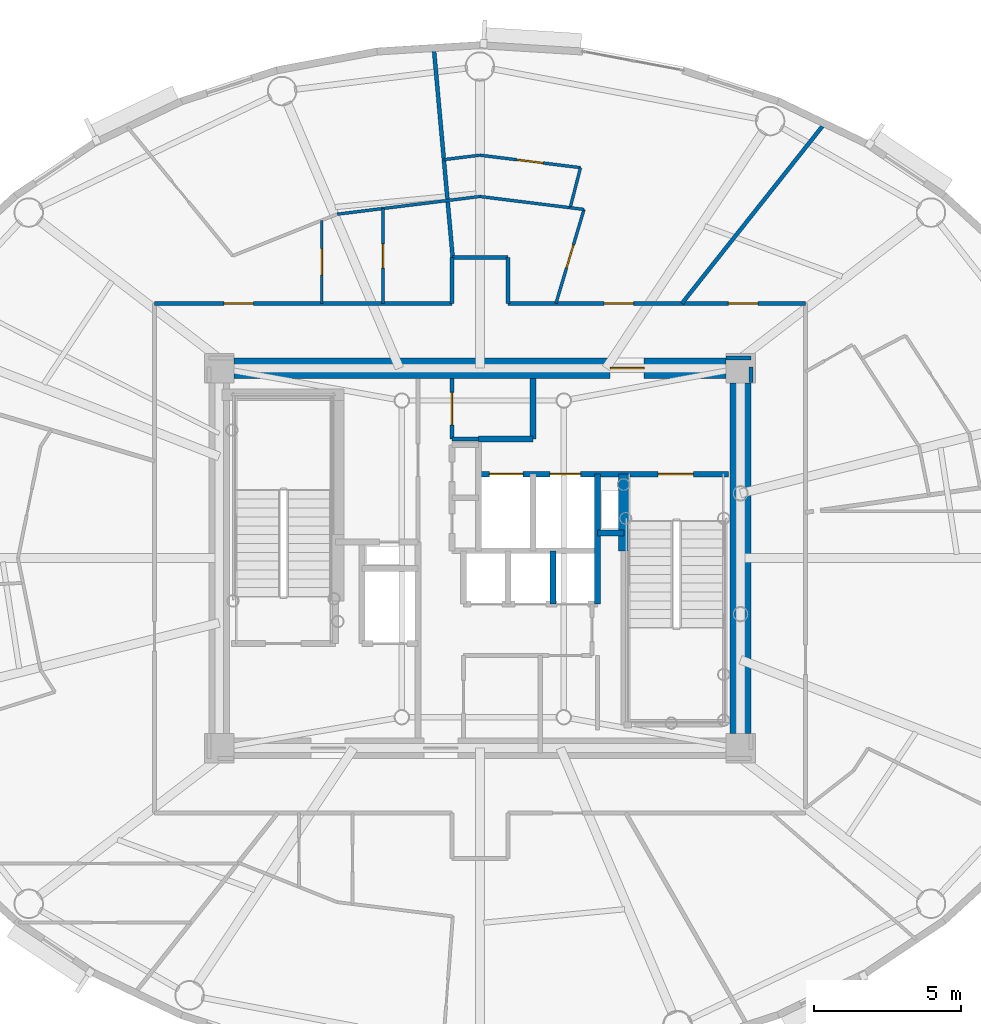
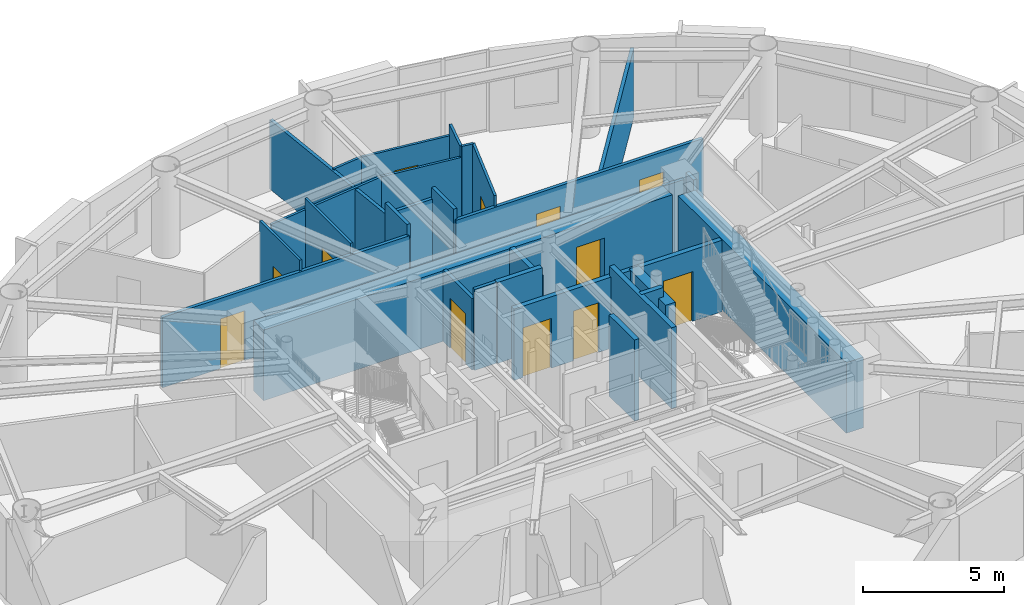
# One storey, part 8 of 17: 29 walls, 12 doors, 12 openings.
"""IFC4 building model written with IfcOpenShell, lengths in metres."""

import ifcopenshell
import ifcopenshell.guid

model = None  # the IFC model being written
_history = None  # IfcOwnerHistory: only IFC2X3 demands one
_inside = {}  # id of a spatial element -> (the spatial element, [elements in it])
_under = {}  # id of a project, library or spatial element -> (it, [spatial elements below it])
_declared = {}  # id of a project -> (the project, [libraries it declares])
_typed = {}  # id of a type object -> (the type object, [elements of that type])
_made_of = {}  # id of a material, layer set ... -> (it, [elements and type objects made of it])


def new_model(schema):
    """Start an empty IFC model of exactly this schema.

    Asked for "IFC4X3", IfcOpenShell would pick the latest addendum, in which some entities
    have other attributes; the version numbers below select the first issue.
    IFC2X3 requires an IfcOwnerHistory on every rooted entity: one is made here for all.
    """
    global model, _history
    if schema == "IFC4X3":
        model = ifcopenshell.file(schema_version=(4, 3, 0, 0))
    else:
        model = ifcopenshell.file(schema=schema)
    _inside.clear()
    _under.clear()
    _declared.clear()
    _typed.clear()
    _made_of.clear()
    _history = None
    if model.schema == "IFC2X3":
        org = make("IfcOrganization", Name="unknown")
        user = make(
            "IfcPersonAndOrganization",
            ThePerson=make("IfcPerson", FamilyName="unknown"),
            TheOrganization=org,
        )
        app = make(
            "IfcApplication",
            ApplicationDeveloper=org,
            Version="unknown",
            ApplicationFullName="unknown",
            ApplicationIdentifier="unknown",
        )
        _history = make(
            "IfcOwnerHistory",
            OwningUser=user,
            OwningApplication=app,
            ChangeAction="ADDED",
            CreationDate=0,
        )
    return model


def make(cls, **values):
    """One entity of the class cls with the attributes given. An attribute that is None is left unset."""
    return model.create_entity(
        cls, **{name: value for name, value in values.items() if value is not None}
    )


def rooted(cls, **values):
    """An entity with a GlobalId (a new one), such as an element, a storey or a relation."""
    return make(cls, GlobalId=ifcopenshell.guid.new(), OwnerHistory=_history, **values)


def si_unit(unit_type, name, prefix=None):
    """IfcSIUnit, for example si_unit("LENGTHUNIT", "METRE", prefix="MILLI")."""
    return make("IfcSIUnit", UnitType=unit_type, Prefix=prefix, Name=name)


def assignment(units):
    """IfcUnitAssignment: the units of a project."""
    return None if units is None else make("IfcUnitAssignment", Units=units)


def point(xyz):
    """IfcCartesianPoint."""
    return None if xyz is None else make("IfcCartesianPoint", Coordinates=xyz)


def direction(xyz):
    """IfcDirection."""
    return None if xyz is None else make("IfcDirection", DirectionRatios=xyz)


def frame(location, z_axis=None, x_axis=None):
    """IfcAxis2Placement3D, a coordinate frame: its origin and axes. An axis left out is left unset."""
    return make(
        "IfcAxis2Placement3D",
        Location=point(location),
        Axis=direction(z_axis),
        RefDirection=direction(x_axis),
    )


def frame_2d(location, x_axis=None):
    """IfcAxis2Placement2D, a coordinate frame in the plane: its origin and x axis."""
    return make(
        "IfcAxis2Placement2D", Location=point(location), RefDirection=direction(x_axis)
    )


def origin():
    """The frame at (0, 0, 0) with its axes left unset."""
    return frame((0.0, 0.0, 0.0))


def origin_2d():
    """The frame at (0, 0) in the plane with its x axis left unset."""
    return frame_2d((0.0, 0.0))


def place(relative_to, where):
    """IfcLocalPlacement: puts the frame where relative to a parent placement (None: the world)."""
    return make(
        "IfcLocalPlacement", PlacementRelTo=relative_to, RelativePlacement=where
    )


def context(
    kind, dimensions, precision=None, world=None, true_north=None, identifier=None
):
    """IfcGeometricRepresentationContext, for example the 3D "Model" context."""
    return make(
        "IfcGeometricRepresentationContext",
        ContextIdentifier=identifier,
        ContextType=kind,
        CoordinateSpaceDimension=dimensions,
        Precision=precision,
        WorldCoordinateSystem=world,
        TrueNorth=true_north,
    )


def subcontext(parent, identifier, kind, view, scale=None):
    """IfcGeometricRepresentationSubContext, for example "Body" below "Model"."""
    return make(
        "IfcGeometricRepresentationSubContext",
        ContextIdentifier=identifier,
        ContextType=kind,
        ParentContext=parent,
        TargetScale=scale,
        TargetView=view,
    )


def project(units=None, contexts=None):
    """IfcProject with its units and contexts."""
    return rooted(
        "IfcProject",
        Name="project",
        RepresentationContexts=contexts,
        UnitsInContext=assignment(units),
    )


def spatial(cls, under=None, at=None, **own):
    """A site, building, storey or space (cls), placed at a placement, below another one or the project."""
    s = rooted(cls, ObjectPlacement=at, **own)
    if under is not None:
        _under.setdefault(under.id(), (under, []))[1].append(s)
    return s


def profile(cls, at=None, kind="AREA", **sizes):
    """A parametric profile (cls). Its sizes go by their IFC names, for example OverallWidth=200.0."""
    return make(cls, ProfileType=kind, Position=at, **sizes)


def rectangle(**sizes):
    """IfcRectangleProfileDef."""
    return profile("IfcRectangleProfileDef", **sizes)


def extrude(swept, where, along, depth):
    """IfcExtrudedAreaSolid: the profile swept, set in the frame where, extruded along a direction by depth."""
    return make(
        "IfcExtrudedAreaSolid",
        SweptArea=swept,
        Position=where,
        ExtrudedDirection=direction(along),
        Depth=depth,
    )


def shape(context_of_items, identifier, shape_type, items):
    """IfcShapeRepresentation: the items that make up one representation, for example the "Body"."""
    return make(
        "IfcShapeRepresentation",
        ContextOfItems=context_of_items,
        RepresentationIdentifier=identifier,
        RepresentationType=shape_type,
        Items=items,
    )


def source(mapping_origin, context_of_items, identifier, shape_type, items):
    """IfcRepresentationMap: a shape defined once, which mapped items show again and again."""
    return make(
        "IfcRepresentationMap",
        MappingOrigin=mapping_origin,
        MappedRepresentation=shape(context_of_items, identifier, shape_type, items),
    )


def transform(
    local_origin,
    x_axis=None,
    y_axis=None,
    z_axis=None,
    scale=None,
    scale2=None,
    scale3=None,
    uniform=True,
):
    """IfcCartesianTransformationOperator3D, or its non-uniform kind. x_axis, y_axis, z_axis: its Axis1, 2, 3."""
    if uniform:
        return make(
            "IfcCartesianTransformationOperator3D",
            Axis1=direction(x_axis),
            Axis2=direction(y_axis),
            LocalOrigin=point(local_origin),
            Scale=scale,
            Axis3=direction(z_axis),
        )
    return make(
        "IfcCartesianTransformationOperator3DnonUniform",
        Axis1=direction(x_axis),
        Axis2=direction(y_axis),
        LocalOrigin=point(local_origin),
        Scale=scale,
        Axis3=direction(z_axis),
        Scale2=scale2,
        Scale3=scale3,
    )


def mapped(mapping_source, mapping_target):
    """IfcMappedItem: shows the shape of a source again, moved by a transform."""
    return make(
        "IfcMappedItem", MappingSource=mapping_source, MappingTarget=mapping_target
    )


def material(Name=None, Category=None):
    """IfcMaterial."""
    return make("IfcMaterial", Name=Name, Category=Category)


def layer(
    of_material, thickness, ventilated=None, Name=None, Category=None, Priority=None
):
    """IfcMaterialLayer: one layer of a wall or slab, of a material (None: an air gap)."""
    return make(
        "IfcMaterialLayer",
        Material=of_material,
        LayerThickness=thickness,
        IsVentilated=ventilated,
        Name=Name,
        Category=Category,
        Priority=Priority,
    )


def layer_set(layers, Name=None):
    """IfcMaterialLayerSet."""
    return make("IfcMaterialLayerSet", MaterialLayers=layers, LayerSetName=Name)


def made_of(thing, what):
    """Note that an element or type object is made of a material, layer set ...; save() writes the relation."""
    if what is not None:
        _made_of.setdefault(what.id(), (what, []))[1].append(thing)
    return thing


def type_object(cls, material=None, **own):
    """A type object (cls), such as IfcWallType, which elements share."""
    return made_of(rooted(cls, **own), material)


def element(
    cls,
    number,
    at=None,
    inside=None,
    cuts=None,
    type_object=None,
    material=None,
    context=None,
    identifier="Body",
    shape_type=None,
    held_by="IfcProductDefinitionShape",
    body=None,
    shapes=None,
    **own,
):
    """One element of the class cls, such as IfcWall. Its Tag is "e" and its number.

    at: its placement. inside: the storey or other place that contains it. cuts: it is an
    opening in that element (IfcRelVoidsElement). A single representation is given by context,
    identifier, shape_type and body (its items); several are given by shapes. held_by: the class
    of the entity that holds the representations. save() writes the other relations.
    """
    e = rooted(cls, Tag="e%d" % number, ObjectPlacement=at, **own)
    if body is not None:
        shapes = [shape(context, identifier, shape_type, body)]
    if shapes is not None:
        e.Representation = make(held_by, Representations=shapes)
    if inside is not None:
        _inside.setdefault(inside.id(), (inside, []))[1].append(e)
    if cuts is not None:
        rooted(
            "IfcRelVoidsElement", RelatingBuildingElement=cuts, RelatedOpeningElement=e
        )
    if type_object is not None:
        _typed.setdefault(type_object.id(), (type_object, []))[1].append(e)
    return made_of(e, material)


def fill(opening, filler):
    """IfcRelFillsElement: the door or window that sits in an opening."""
    return rooted(
        "IfcRelFillsElement",
        RelatingOpeningElement=opening,
        RelatedBuildingElement=filler,
    )


def aggregate(whole, parts):
    """IfcRelAggregates: a whole, such as a stair, and the parts it consists of."""
    return rooted("IfcRelAggregates", RelatingObject=whole, RelatedObjects=parts)


def save(model, path):
    """Write the relations noted so far, then the file.

    IfcRelAggregates (storeys below a building ...), IfcRelContainedInSpatialStructure (elements
    in a storey), IfcRelDefinesByType, IfcRelAssociatesMaterial and IfcRelDeclares: one each for
    every whole, place, type object, material and project.
    """
    for whole, parts in _under.values():
        aggregate(whole, parts)
    for where, things in _inside.values():
        rooted(
            "IfcRelContainedInSpatialStructure",
            RelatedElements=things,
            RelatingStructure=where,
        )
    for kind, things in _typed.values():
        rooted("IfcRelDefinesByType", RelatedObjects=things, RelatingType=kind)
    for what, things in _made_of.values():
        rooted("IfcRelAssociatesMaterial", RelatedObjects=things, RelatingMaterial=what)
    for by, libraries in _declared.values():
        rooted("IfcRelDeclares", RelatingContext=by, RelatedDefinitions=libraries)
    model.write(path)


model = new_model("IFC4")

# Units and contexts
model_context = context("Model", 3, precision=1e-05, world=origin(), true_north=direction((0.0, 1.0)))
body_context = subcontext(model_context, "Body", "Model", "MODEL_VIEW")
ifc_project = project(units=[si_unit("LENGTHUNIT", "METRE"), si_unit("AREAUNIT", "SQUARE_METRE"), si_unit("VOLUMEUNIT", "CUBIC_METRE"), si_unit("PLANEANGLEUNIT", "RADIAN"), si_unit("MASSUNIT", "GRAM", prefix="KILO")], contexts=[model_context])

# Site, building, storey
site_placement = place(None, origin())
site = spatial("IfcSite", under=ifc_project, at=site_placement, CompositionType="ELEMENT")
building_placement = place(site_placement, origin())
building = spatial("IfcBuilding", under=site, at=building_placement, Name="Linh Dai School and Residence Tower", CompositionType="ELEMENT")
storey_placement = place(building_placement, frame((0.0, 0.0, 280.5)))
storey = spatial("IfcBuildingStorey", under=building, at=storey_placement, Name="L69", CompositionType="ELEMENT", Elevation=280.5)

# Wall, opening, door
ifc_material_1 = material(Name="Autoclaved Aerated Concrete Blockwork", Category="masonry")
ifc_layer_1 = layer(ifc_material_1, 0.135009765625)
ifc_layer_set_1 = layer_set([ifc_layer_1], Name="Autoclaved Aerated Concrete Blockwork")
wall_type_1 = type_object("IfcWallType", Name="IW-CORR-135-EI90", PredefinedType="PARTITIONING", material=ifc_layer_set_1)
wall_1_placement = place(storey_placement, frame((24.949951171875, 35.64990234375, 0.0), z_axis=(0.0, 0.0, 1.0), x_axis=(1.0, 0.0, 0.0)))
wall_1 = element("IfcWall", 1, at=wall_1_placement, inside=storey, type_object=wall_type_1, Name="L69 Interior Partition Wall 015", PredefinedType="PARTITIONING", context=body_context, shape_type="SweptSolid", body=[
    extrude(rectangle(XDim=10.10009765625, YDim=0.135009765625, at=frame_2d((5.050048828125, 0.0))), origin(), (0.0, 0.0, 1.0), 3.034912109375),
])
opening_1_placement = place(wall_1_placement, frame((2.361572265625, 0.0, 0.0)))
opening_1 = element("IfcOpeningElement", 2, at=opening_1_placement, cuts=wall_1, Name="Opening D03", PredefinedType="OPENING", context=body_context, shape_type="SweptSolid", body=[
    extrude(rectangle(XDim=1.0, YDim=2.14990234375, at=origin_2d()), frame((0.5, 0.07763671875, 1.074951171875), z_axis=(0.0, -1.0, 0.0), x_axis=(1.0, 0.0, 0.0)), (0.0, 0.0, 1.0), 0.155029296875),
])
ifc_material_2 = material(Name="Fire-Rated Solid Timber Entrance Door", Category="wood")
door_type_1 = type_object("IfcDoorType", Name="DR-FLAT-1000x2150-FD60S", OperationType="NOTDEFINED", PredefinedType="DOOR", material=ifc_material_2)
shared_shape_1 = source(origin(), body_context, "Body", "SweptSolid", [
    extrude(rectangle(XDim=1.0, YDim=2.14990234375, at=origin_2d()), frame((0.5, 0.02490234375, 1.074951171875), z_axis=(0.0, -1.0, 0.0), x_axis=(1.0, 0.0, 0.0)), (0.0, 0.0, 1.0), 0.050048828125),
])
door_1_placement = place(opening_1_placement, origin())
door_1 = element("IfcDoor", 3, at=door_1_placement, inside=storey, type_object=door_type_1, Name="L69 U6903 Apartment Entrance Door", OperationType="SINGLE_SWING_LEFT", OverallHeight=2.14990234375, OverallWidth=1.0, PredefinedType="DOOR", context=body_context, shape_type="MappedRepresentation", body=[
    mapped(shared_shape_1, transform((0.0, 0.0, 0.0), x_axis=(1.0, 0.0, 0.0), y_axis=(0.0, 1.0, 0.0), z_axis=(0.0, 0.0, 1.0), scale=1.0)),
])
fill(opening_1, door_1)

# Wall
wall_2_placement = place(storey_placement, frame((34.436279296875, 44.32373046875, 0.0), z_axis=(0.0, 0.0, 1.0), x_axis=(0.089904837352, -0.99595036032, 0.0)))
element("IfcWall", 4, at=wall_2_placement, inside=storey, type_object=wall_type_1, Name="L69 Interior Partition Wall 032", PredefinedType="PARTITIONING", context=body_context, shape_type="SweptSolid", body=[
    extrude(rectangle(XDim=7.15283203125, YDim=0.135009765625, at=frame_2d((3.576416015625, 0.0))), origin(), (0.0, 0.0, 1.0), 2.985107421875),
])

# Wall, opening, door
wall_3_placement = place(storey_placement, frame((35.050048828125, 31.050048828125, 0.0), z_axis=(0.0, 0.0, 1.0), x_axis=(0.0, 1.0, 0.0)))
wall_3 = element("IfcWall", 5, at=wall_3_placement, inside=storey, type_object=wall_type_1, Name="L69 Interior Partition Wall 041", PredefinedType="PARTITIONING", context=body_context, shape_type="SweptSolid", body=[
    extrude(rectangle(XDim=2.050048828125, YDim=0.135009765625, at=frame_2d((1.02490234375, 0.0))), origin(), (0.0, 0.0, 1.0), 3.0849609375),
])
opening_2_placement = place(wall_3_placement, frame((0.47509765625, 0.0, 0.0)))
opening_2 = element("IfcOpeningElement", 6, at=opening_2_placement, cuts=wall_3, Name="Opening D07", PredefinedType="OPENING", context=body_context, shape_type="SweptSolid", body=[
    extrude(rectangle(XDim=1.10009765625, YDim=2.14990234375, at=origin_2d()), frame((0.550048828125, 0.07763671875, 1.074951171875), z_axis=(0.0, -1.0, 0.0), x_axis=(1.0, 0.0, 0.0)), (0.0, 0.0, 1.0), 0.155029296875),
])
ifc_material_3 = material(Name="Fire-Rated Louvred Steel Plant Door", Category="steel")
door_type_2 = type_object("IfcDoorType", Name="DR-PLT-1100x2150-FD60S", OperationType="NOTDEFINED", PredefinedType="DOOR", material=ifc_material_3)
shared_shape_2 = source(origin(), body_context, "Body", "SweptSolid", [
    extrude(rectangle(XDim=1.10009765625, YDim=2.14990234375, at=origin_2d()), frame((0.550048828125, 0.02490234375, 1.074951171875), z_axis=(0.0, -1.0, 0.0), x_axis=(1.0, 0.0, 0.0)), (0.0, 0.0, 1.0), 0.050048828125),
])
door_2_placement = place(opening_2_placement, origin())
door_2 = element("IfcDoor", 7, at=door_2_placement, inside=storey, type_object=door_type_2, Name="L69 North BMS Switchroom Door", OperationType="SINGLE_SWING_RIGHT", OverallHeight=2.14990234375, OverallWidth=1.10009765625, PredefinedType="DOOR", context=body_context, shape_type="MappedRepresentation", body=[
    mapped(shared_shape_2, transform((0.0, 0.0, 0.0), x_axis=(1.0, 0.0, 0.0), y_axis=(0.0, 1.0, 0.0), z_axis=(0.0, 0.0, 1.0), scale=1.0)),
])
fill(opening_2, door_2)

# Walls
wall_4_placement = place(storey_placement, frame((35.050048828125, 31.050048828125, 0.0), z_axis=(0.0, 0.0, 1.0), x_axis=(1.0, 0.0, 0.0)))
element("IfcWall", 8, at=wall_4_placement, inside=storey, type_object=wall_type_1, Name="L69 Interior Partition Wall 042", PredefinedType="PARTITIONING", context=body_context, shape_type="SweptSolid", body=[
    extrude(rectangle(XDim=0.89990234375, YDim=0.135009765625, at=frame_2d((0.449951171875, 0.0))), origin(), (0.0, 0.0, 1.0), 3.5),
])
wall_5_placement = place(storey_placement, frame((35.050048828125, 35.64990234375, 0.0), z_axis=(0.0, 0.0, 1.0), x_axis=(0.0, 1.0, 0.0)))
element("IfcWall", 9, at=wall_5_placement, inside=storey, type_object=wall_type_1, Name="L69 Interior Partition Wall 043", PredefinedType="PARTITIONING", context=body_context, shape_type="SweptSolid", body=[
    extrude(rectangle(XDim=1.550048828125, YDim=0.135009765625, at=frame_2d((0.77490234375, 0.0))), origin(), (0.0, 0.0, 1.0), 3.5),
])
wall_6_placement = place(storey_placement, frame((35.079345703125, 37.199951171875, 0.0), z_axis=(0.0, 0.0, 1.0), x_axis=(1.0, 0.0, 0.0)))
element("IfcWall", 10, at=wall_6_placement, inside=storey, type_object=wall_type_1, Name="L69 Interior Partition Wall 044", PredefinedType="PARTITIONING", context=body_context, shape_type="SweptSolid", body=[
    extrude(rectangle(XDim=1.87060546875, YDim=0.135009765625, at=frame_2d((0.935302734375, 0.0))), origin(), (0.0, 0.0, 1.0), 3.034912109375),
])
wall_7_placement = place(storey_placement, frame((36.949951171875, 35.64990234375, 0.0), z_axis=(0.0, 0.0, 1.0), x_axis=(0.0, 1.0, 0.0)))
element("IfcWall", 11, at=wall_7_placement, inside=storey, type_object=wall_type_1, Name="L69 Interior Partition Wall 056", PredefinedType="PARTITIONING", context=body_context, shape_type="SweptSolid", body=[
    extrude(rectangle(XDim=1.550048828125, YDim=0.135009765625, at=frame_2d((0.77490234375, 0.0))), origin(), (0.0, 0.0, 1.0), 3.5),
])

# Wall, openings, doors
wall_8_placement = place(storey_placement, frame((36.949951171875, 35.64990234375, 0.0), z_axis=(0.0, 0.0, 1.0), x_axis=(1.0, 0.0, 0.0)))
wall_8 = element("IfcWall", 12, at=wall_8_placement, inside=storey, type_object=wall_type_1, Name="L69 Interior Partition Wall 057", PredefinedType="PARTITIONING", context=body_context, shape_type="SweptSolid", body=[
    extrude(rectangle(XDim=10.10009765625, YDim=0.135009765625, at=frame_2d((5.050048828125, 0.0))), origin(), (0.0, 0.0, 1.0), 3.034912109375),
])
opening_3_placement = place(wall_8_placement, frame((7.485595703125, 0.0, 0.0)))
opening_3 = element("IfcOpeningElement", 13, at=opening_3_placement, cuts=wall_8, Name="Opening D03", PredefinedType="OPENING", context=body_context, shape_type="SweptSolid", body=[
    extrude(rectangle(XDim=1.0, YDim=2.14990234375, at=origin_2d()), frame((0.5, 0.07763671875, 1.074951171875), z_axis=(0.0, -1.0, 0.0), x_axis=(1.0, 0.0, 0.0)), (0.0, 0.0, 1.0), 0.155029296875),
])
opening_4_placement = place(wall_8_placement, frame((3.2724609375, 0.0, 0.0)))
opening_4 = element("IfcOpeningElement", 14, at=opening_4_placement, cuts=wall_8, Name="Opening D03", PredefinedType="OPENING", context=body_context, shape_type="SweptSolid", body=[
    extrude(rectangle(XDim=1.0, YDim=2.14990234375, at=origin_2d()), frame((0.5, 0.07763671875, 1.074951171875), z_axis=(0.0, -1.0, 0.0), x_axis=(1.0, 0.0, 0.0)), (0.0, 0.0, 1.0), 0.155029296875),
])
door_3_placement = place(opening_3_placement, origin())
door_3 = element("IfcDoor", 15, at=door_3_placement, inside=storey, type_object=door_type_1, Name="L69 U6901 Apartment Entrance Door", OperationType="SINGLE_SWING_LEFT", OverallHeight=2.14990234375, OverallWidth=1.0, PredefinedType="DOOR", context=body_context, shape_type="MappedRepresentation", body=[
    mapped(shared_shape_1, transform((0.0, 0.0, 0.0), x_axis=(1.0, 0.0, 0.0), y_axis=(0.0, 1.0, 0.0), z_axis=(0.0, 0.0, 1.0), scale=1.0)),
])
fill(opening_3, door_3)
door_4_placement = place(opening_4_placement, origin())
door_4 = element("IfcDoor", 16, at=door_4_placement, inside=storey, type_object=door_type_1, Name="L69 U6902 Apartment Entrance Door", OperationType="SINGLE_SWING_RIGHT", OverallHeight=2.14990234375, OverallWidth=1.0, PredefinedType="DOOR", context=body_context, shape_type="MappedRepresentation", body=[
    mapped(shared_shape_1, transform((0.0, 0.0, 0.0), x_axis=(1.0, 0.0, 0.0), y_axis=(0.0, 1.0, 0.0), z_axis=(0.0, 0.0, 1.0), scale=1.0)),
])
fill(opening_4, door_4)

# Walls
wall_9_placement = place(storey_placement, frame((42.861083984375, 35.64990234375, 0.0), z_axis=(0.0, 0.0, 1.0), x_axis=(0.621439784824, 0.783461928774, 0.0)))
element("IfcWall", 17, at=wall_9_placement, inside=storey, type_object=wall_type_1, Name="L69 Interior Partition Wall 072", PredefinedType="PARTITIONING", context=body_context, shape_type="SweptSolid", body=[
    extrude(rectangle(XDim=7.79638671875, YDim=0.135009765625, at=frame_2d((3.898193359375, 0.0))), origin(), (0.0, 0.0, 1.0), 2.985107421875),
])
wall_10_placement = place(storey_placement, frame((45.199951171875, 33.800048828125, 0.0), z_axis=(0.0, 0.0, 1.0), x_axis=(-1.0, 0.0, 0.0)))
element("IfcWall", 18, at=wall_10_placement, inside=storey, type_object=wall_type_1, Name="L69 Interior Partition Wall 090", PredefinedType="PARTITIONING", context=body_context, shape_type="SweptSolid", body=[
    extrude(rectangle(XDim=0.83984375, YDim=0.135009765625, at=frame_2d((0.419921875, 0.0))), origin(), (0.0, 0.0, 1.0), 3.034912109375),
])
wall_11_placement = place(storey_placement, frame((45.199951171875, 32.9599609375, 0.0), z_axis=(0.0, 0.0, 1.0), x_axis=(0.0, 1.0, 0.0)))
element("IfcWall", 19, at=wall_11_placement, inside=storey, type_object=wall_type_1, Name="L69 Interior Partition Wall 097", PredefinedType="PARTITIONING", context=body_context, shape_type="SweptSolid", body=[
    extrude(rectangle(XDim=0.532470703125, YDim=0.135009765625, at=frame_2d((0.26611328125, 0.0))), origin(), (0.0, 0.0, 1.0), 3.5),
])

# Wall, openings, doors
ifc_material_4 = material(Name="Concrete B45 (C35/45)", Category="concrete")
ifc_layer_2 = layer(ifc_material_4, 0.199951171875)
ifc_layer_set_2 = layer_set([ifc_layer_2], Name="Concrete B45 (C35/45)")
wall_type_2 = type_object("IfcWallType", Name="IW-SHAFT-200-EI120", PredefinedType="PARTITIONING", material=ifc_layer_set_2)
wall_12_placement = place(storey_placement, frame((35.949951171875, 29.85009765625, 0.0), z_axis=(0.0, 0.0, 1.0), x_axis=(1.0, 0.0, 0.0)))
wall_12 = element("IfcWall", 20, at=wall_12_placement, inside=storey, type_object=wall_type_2, Name="L69 Interior Partition Wall 050", PredefinedType="PARTITIONING", context=body_context, shape_type="SweptSolid", body=[
    extrude(rectangle(XDim=8.489990234375, YDim=0.199951171875, at=frame_2d((4.2451171875, 0.0))), origin(), (0.0, 0.0, 1.0), 3.0849609375),
])
opening_5_placement = place(wall_12_placement, frame((6.10009765625, 0.0, 0.0)))
opening_5 = element("IfcOpeningElement", 21, at=opening_5_placement, cuts=wall_12, Name="Opening D01", PredefinedType="OPENING", context=body_context, shape_type="SweptSolid", body=[
    extrude(rectangle(XDim=1.199951171875, YDim=2.14990234375, at=origin_2d()), frame((0.60009765625, 0.10986328125, 1.074951171875), z_axis=(0.0, -1.0, 0.0), x_axis=(1.0, 0.0, 0.0)), (0.0, 0.0, 1.0), 0.219970703125),
])
opening_6_placement = place(wall_12_placement, frame((0.3701171875, 0.0, 0.0)))
opening_6 = element("IfcOpeningElement", 22, at=opening_6_placement, cuts=wall_12, Name="Opening LD-FF1", PredefinedType="OPENING", context=body_context, shape_type="SweptSolid", body=[
    extrude(rectangle(XDim=1.14990234375, YDim=2.14990234375, at=origin_2d()), frame((0.574951171875, 0.10986328125, 1.074951171875), z_axis=(0.0, -1.0, 0.0), x_axis=(1.0, 0.0, 0.0)), (0.0, 0.0, 1.0), 0.219970703125),
])
opening_7_placement = place(wall_12_placement, frame((2.425048828125, 0.0, 0.0)))
opening_7 = element("IfcOpeningElement", 23, at=opening_7_placement, cuts=wall_12, Name="Opening LD-SV1", PredefinedType="OPENING", context=body_context, shape_type="SweptSolid", body=[
    extrude(rectangle(XDim=1.050048828125, YDim=2.14990234375, at=origin_2d()), frame((0.52490234375, 0.10986328125, 1.074951171875), z_axis=(0.0, -1.0, 0.0), x_axis=(1.0, 0.0, 0.0)), (0.0, 0.0, 1.0), 0.219970703125),
])
ifc_material_5 = material(Name="Fire-Rated Steel Door Leaf", Category="steel")
door_type_3 = type_object("IfcDoorType", Name="DR-STAIR-1200x2150-FD90S", OperationType="NOTDEFINED", PredefinedType="DOOR", material=ifc_material_5)
shared_shape_3 = source(origin(), body_context, "Body", "SweptSolid", [
    extrude(rectangle(XDim=1.199951171875, YDim=2.14990234375, at=origin_2d()), frame((0.60009765625, 0.02490234375, 1.074951171875), z_axis=(0.0, -1.0, 0.0), x_axis=(1.0, 0.0, 0.0)), (0.0, 0.0, 1.0), 0.050048828125),
])
door_5_placement = place(opening_5_placement, origin())
door_5 = element("IfcDoor", 24, at=door_5_placement, inside=storey, type_object=door_type_3, Name="L69 Core Smokeproof Exit Stair ST2 Door", OperationType="SINGLE_SWING_RIGHT", OverallHeight=2.14990234375, OverallWidth=1.199951171875, PredefinedType="DOOR", context=body_context, shape_type="MappedRepresentation", body=[
    mapped(shared_shape_3, transform((0.0, 0.0, 0.0), x_axis=(1.0, 0.0, 0.0), y_axis=(0.0, 1.0, 0.0), z_axis=(0.0, 0.0, 1.0), scale=1.0)),
])
fill(opening_5, door_5)
ifc_material_6 = material(Name="Fire-Rated Stainless Steel Firefighting Lift Door", Category="steel")
door_type_4 = type_object("IfcDoorType", Name="DR-LD-FF-1150x2150-FD120", OperationType="DOUBLE_DOOR_SLIDING", PredefinedType="USERDEFINED", material=ifc_material_6)
shared_shape_4 = source(origin(), body_context, "Body", "SweptSolid", [
    extrude(rectangle(XDim=1.14990234375, YDim=2.14990234375, at=origin_2d()), frame((0.574951171875, 0.02490234375, 1.074951171875), z_axis=(0.0, -1.0, 0.0), x_axis=(1.0, 0.0, 0.0)), (0.0, 0.0, 1.0), 0.050048828125),
])
door_6_placement = place(opening_6_placement, origin())
door_6 = element("IfcDoor", 25, at=door_6_placement, inside=storey, type_object=door_type_4, Name="L69 Lift FF1 Sliding Landing Door", ObjectType="LANDING DOOR", OperationType="DOUBLE_DOOR_SLIDING", OverallHeight=2.14990234375, OverallWidth=1.14990234375, PredefinedType="USERDEFINED", context=body_context, shape_type="MappedRepresentation", body=[
    mapped(shared_shape_4, transform((0.0, 0.0, 0.0), x_axis=(1.0, 0.0, 0.0), y_axis=(0.0, 1.0, 0.0), z_axis=(0.0, 0.0, 1.0), scale=1.0)),
])
fill(opening_6, door_6)
ifc_material_7 = material(Name="Brushed Stainless Steel Lift Landing Door", Category="steel")
door_type_5 = type_object("IfcDoorType", Name="DR-LD-PASS-1050x2150", OperationType="DOUBLE_DOOR_SLIDING", PredefinedType="USERDEFINED", material=ifc_material_7)
shared_shape_5 = source(origin(), body_context, "Body", "SweptSolid", [
    extrude(rectangle(XDim=1.050048828125, YDim=2.14990234375, at=origin_2d()), frame((0.52490234375, 0.02490234375, 1.074951171875), z_axis=(0.0, -1.0, 0.0), x_axis=(1.0, 0.0, 0.0)), (0.0, 0.0, 1.0), 0.050048828125),
])
door_7_placement = place(opening_7_placement, origin())
door_7 = element("IfcDoor", 26, at=door_7_placement, inside=storey, type_object=door_type_5, Name="L69 Lift SV1 Sliding Landing Door", ObjectType="LANDING DOOR", OperationType="DOUBLE_DOOR_SLIDING", OverallHeight=2.14990234375, OverallWidth=1.050048828125, PredefinedType="USERDEFINED", context=body_context, shape_type="MappedRepresentation", body=[
    mapped(shared_shape_5, transform((0.0, 0.0, 0.0), x_axis=(1.0, 0.0, 0.0), y_axis=(0.0, 1.0, 0.0), z_axis=(0.0, 0.0, 1.0), scale=1.0)),
])
fill(opening_7, door_7)

# Walls
wall_13_placement = place(storey_placement, frame((35.9599609375, 31.050048828125, 0.0), z_axis=(0.0, 0.0, 1.0), x_axis=(1.0, 0.0, 0.0)))
element("IfcWall", 27, at=wall_13_placement, inside=storey, type_object=wall_type_2, Name="L69 Interior Partition Wall 051", PredefinedType="PARTITIONING", context=body_context, shape_type="SweptSolid", body=[
    extrude(rectangle(XDim=1.840087890625, YDim=0.199951171875, at=frame_2d((0.919921875, 0.0))), origin(), (0.0, 0.0, 1.0), 3.5),
])
wall_14_placement = place(storey_placement, frame((37.800048828125, 31.050048828125, 0.0), z_axis=(0.0, 0.0, 1.0), x_axis=(0.0, 1.0, 0.0)))
element("IfcWall", 28, at=wall_14_placement, inside=storey, type_object=wall_type_2, Name="L69 Interior Partition Wall 060", PredefinedType="PARTITIONING", context=body_context, shape_type="SweptSolid", body=[
    extrude(rectangle(XDim=2.050048828125, YDim=0.199951171875, at=frame_2d((1.02490234375, 0.0))), origin(), (0.0, 0.0, 1.0), 3.0849609375),
])
wall_15_placement = place(storey_placement, frame((38.47998046875, 25.449951171875, 0.0), z_axis=(0.0, 0.0, 1.0), x_axis=(0.0, 1.0, 0.0)))
element("IfcWall", 29, at=wall_15_placement, inside=storey, type_object=wall_type_2, Name="L69 Interior Partition Wall 062", PredefinedType="PARTITIONING", context=body_context, shape_type="SweptSolid", body=[
    extrude(rectangle(XDim=1.800048828125, YDim=0.199951171875, at=frame_2d((0.89990234375, 0.0))), origin(), (0.0, 0.0, 1.0), 3.5),
])
wall_16_placement = place(storey_placement, frame((40.0, 25.449951171875, 0.0), z_axis=(0.0, 0.0, 1.0), x_axis=(0.0, 1.0, 0.0)))
element("IfcWall", 30, at=wall_16_placement, inside=storey, type_object=wall_type_2, Name="L69 Interior Partition Wall 067", PredefinedType="PARTITIONING", context=body_context, shape_type="SweptSolid", body=[
    extrude(rectangle(XDim=4.400146484375, YDim=0.199951171875, at=frame_2d((2.2001953125, 0.0))), origin(), (0.0, 0.0, 1.0), 3.5),
])
wall_17_placement = place(storey_placement, frame((40.0, 27.85009765625, 0.0), z_axis=(0.0, 0.0, 1.0), x_axis=(1.0, 0.0, 0.0)))
element("IfcWall", 31, at=wall_17_placement, inside=storey, type_object=wall_type_2, Name="L69 Interior Partition Wall 068", PredefinedType="PARTITIONING", context=body_context, shape_type="SweptSolid", body=[
    extrude(rectangle(XDim=0.89990234375, YDim=0.199951171875, at=frame_2d((0.449951171875, 0.0))), origin(), (0.0, 0.0, 1.0), 3.5),
])

# Wall, opening, door
ifc_material_8 = material(Name="Gypsum Plasterboard Acoustic Stud Partition", Category="masonry")
ifc_layer_3 = layer(ifc_material_8, 0.10009765625)
ifc_layer_set_3 = layer_set([ifc_layer_3], Name="Gypsum Plasterboard Acoustic Stud Partition")
wall_type_3 = type_object("IfcWallType", Name="IW-UNIT-100", PredefinedType="PARTITIONING", material=ifc_layer_set_3)
wall_18_placement = place(storey_placement, frame((30.633056640625, 35.64990234375, 0.0), z_axis=(0.0, 0.0, 1.0), x_axis=(0.0, 1.0, 0.0)))
wall_18 = element("IfcWall", 32, at=wall_18_placement, inside=storey, type_object=wall_type_3, Name="L69 Interior Partition Wall 020", PredefinedType="PARTITIONING", context=body_context, shape_type="SweptSolid", body=[
    extrude(rectangle(XDim=2.819091796875, YDim=0.10009765625, at=frame_2d((1.40966796875, 0.0))), origin(), (0.0, 0.0, 1.0), 3.5),
])
opening_8_placement = place(wall_18_placement, frame((0.95947265625, 0.0, 0.0)))
opening_8 = element("IfcOpeningElement", 33, at=opening_8_placement, cuts=wall_18, Name="Opening D05", PredefinedType="OPENING", context=body_context, shape_type="SweptSolid", body=[
    extrude(rectangle(XDim=0.89990234375, YDim=2.10009765625, at=origin_2d()), frame((0.449951171875, 0.06005859375, 1.050048828125), z_axis=(0.0, -1.0, 0.0), x_axis=(1.0, 0.0, 0.0)), (0.0, 0.0, 1.0), 0.1201171875),
])
ifc_material_9 = material(Name="Engineered Timber Internal Door", Category="wood")
door_type_6 = type_object("IfcDoorType", Name="DR-INT-900x2100", OperationType="NOTDEFINED", PredefinedType="DOOR", material=ifc_material_9)
shared_shape_6 = source(origin(), body_context, "Body", "SweptSolid", [
    extrude(rectangle(XDim=0.89990234375, YDim=2.10009765625, at=origin_2d()), frame((0.449951171875, 0.02490234375, 1.050048828125), z_axis=(0.0, -1.0, 0.0), x_axis=(1.0, 0.0, 0.0)), (0.0, 0.0, 1.0), 0.050048828125),
])
door_8_placement = place(opening_8_placement, origin())
door_8 = element("IfcDoor", 34, at=door_8_placement, inside=storey, type_object=door_type_6, Name="L69 Apartment U6903 Kitchen Door", OperationType="SINGLE_SWING_LEFT", OverallHeight=2.10009765625, OverallWidth=0.89990234375, PredefinedType="DOOR", context=body_context, shape_type="MappedRepresentation", body=[
    mapped(shared_shape_6, transform((0.0, 0.0, 0.0), x_axis=(1.0, 0.0, 0.0), y_axis=(0.0, 1.0, 0.0), z_axis=(0.0, 0.0, 1.0), scale=1.0)),
])
fill(opening_8, door_8)

# Wall
wall_19_placement = place(storey_placement, frame((31.154541015625, 38.677001953125, 0.0), z_axis=(0.0, 0.0, 1.0), x_axis=(0.99239360053, 0.123105408601, 0.0)))
element("IfcWall", 35, at=wall_19_placement, inside=storey, type_object=wall_type_3, Name="L69 Interior Partition Wall 024", PredefinedType="PARTITIONING", context=body_context, shape_type="SweptSolid", body=[
    extrude(rectangle(XDim=4.882568359375, YDim=0.10009765625, at=frame_2d((2.44140625, 0.0))), origin(), (0.0, 0.0, 1.0), 3.034912109375),
])

# Wall, opening, door
wall_20_placement = place(storey_placement, frame((32.714111328125, 35.64990234375, 0.0), z_axis=(0.0, 0.0, 1.0), x_axis=(0.0, 1.0, 0.0)))
wall_20 = element("IfcWall", 36, at=wall_20_placement, inside=storey, type_object=wall_type_3, Name="L69 Interior Partition Wall 029", PredefinedType="PARTITIONING", context=body_context, shape_type="SweptSolid", body=[
    extrude(rectangle(XDim=3.220703125, YDim=0.10009765625, at=frame_2d((1.6103515625, 0.0))), origin(), (0.0, 0.0, 1.0), 3.5),
])
opening_9_placement = place(wall_20_placement, frame((1.2001953125, 0.0, 0.0)))
opening_9 = element("IfcOpeningElement", 37, at=opening_9_placement, cuts=wall_20, Name="Opening D06", PredefinedType="OPENING", context=body_context, shape_type="SweptSolid", body=[
    extrude(rectangle(XDim=0.820068359375, YDim=2.10009765625, at=origin_2d()), frame((0.41015625, 0.06005859375, 1.050048828125), z_axis=(0.0, -1.0, 0.0), x_axis=(1.0, 0.0, 0.0)), (0.0, 0.0, 1.0), 0.1201171875),
])
ifc_material_10 = material(Name="Moisture-Resistant Timber Bathroom Door", Category="wood")
door_type_7 = type_object("IfcDoorType", Name="DR-WET-820x2100", OperationType="NOTDEFINED", PredefinedType="DOOR", material=ifc_material_10)
shared_shape_7 = source(origin(), body_context, "Body", "SweptSolid", [
    extrude(rectangle(XDim=0.820068359375, YDim=2.10009765625, at=origin_2d()), frame((0.41015625, 0.02490234375, 1.050048828125), z_axis=(0.0, -1.0, 0.0), x_axis=(1.0, 0.0, 0.0)), (0.0, 0.0, 1.0), 0.050048828125),
])
door_9_placement = place(opening_9_placement, origin())
door_9 = element("IfcDoor", 38, at=door_9_placement, inside=storey, type_object=door_type_7, Name="L69 Apartment U6903 Bathroom 1 Door", OperationType="SINGLE_SWING_RIGHT", OverallHeight=2.10009765625, OverallWidth=0.820068359375, PredefinedType="DOOR", context=body_context, shape_type="MappedRepresentation", body=[
    mapped(shared_shape_7, transform((0.0, 0.0, 0.0), x_axis=(1.0, 0.0, 0.0), y_axis=(0.0, 1.0, 0.0), z_axis=(0.0, 0.0, 1.0), scale=1.0)),
])
fill(opening_9, door_9)

# Walls
wall_21_placement = place(storey_placement, frame((34.77880859375, 40.52978515625, 0.0), z_axis=(0.0, 0.0, 1.0), x_axis=(0.992405544762, 0.123009083917, 0.0)))
element("IfcWall", 39, at=wall_21_placement, inside=storey, type_object=wall_type_3, Name="L69 Interior Partition Wall 034", PredefinedType="PARTITIONING", context=body_context, shape_type="SweptSolid", body=[
    extrude(rectangle(XDim=1.23046875, YDim=0.10009765625, at=frame_2d((0.615234375, 0.0))), origin(), (0.0, 0.0, 1.0), 3.034912109375),
])
wall_22_placement = place(storey_placement, frame((36.0, 39.278076171875, 0.0), z_axis=(0.0, 0.0, 1.0), x_axis=(0.992394132602, -0.123101119315, 0.0)))
element("IfcWall", 40, at=wall_22_placement, inside=storey, type_object=wall_type_3, Name="L69 Interior Partition Wall 052", PredefinedType="PARTITIONING", context=body_context, shape_type="SweptSolid", body=[
    extrude(rectangle(XDim=3.08984375, YDim=0.10009765625, at=frame_2d((1.544921875, 0.0))), origin(), (0.0, 0.0, 1.0), 3.034912109375),
])

# Wall, opening, door
wall_23_placement = place(storey_placement, frame((36.0, 40.68115234375, 0.0), z_axis=(0.0, 0.0, 1.0), x_axis=(0.992395241541, -0.123092179145, 0.0)))
wall_23 = element("IfcWall", 41, at=wall_23_placement, inside=storey, type_object=wall_type_3, Name="L69 Interior Partition Wall 053", PredefinedType="PARTITIONING", context=body_context, shape_type="SweptSolid", body=[
    extrude(rectangle(XDim=3.443115234375, YDim=0.10009765625, at=frame_2d((1.7216796875, 0.0))), origin(), (0.0, 0.0, 1.0), 3.034912109375),
])
opening_10_placement = place(wall_23_placement, frame((1.271484375, 0.0, 0.0)))
opening_10 = element("IfcOpeningElement", 42, at=opening_10_placement, cuts=wall_23, Name="Opening D05", PredefinedType="OPENING", context=body_context, shape_type="SweptSolid", body=[
    extrude(rectangle(XDim=0.89990234375, YDim=2.10009765625, at=origin_2d()), frame((0.449951171875, 0.06005859375, 1.050048828125), z_axis=(0.0, -1.0, 0.0), x_axis=(1.0, 0.0, 0.0)), (0.0, 0.0, 1.0), 0.1201171875),
])
door_10_placement = place(opening_10_placement, origin())
door_10 = element("IfcDoor", 43, at=door_10_placement, inside=storey, type_object=door_type_6, Name="L69 Apartment U6902 Kitchen Door", OperationType="SINGLE_SWING_RIGHT", OverallHeight=2.10009765625, OverallWidth=0.89990234375, PredefinedType="DOOR", context=body_context, shape_type="MappedRepresentation", body=[
    mapped(shared_shape_6, transform((0.0, 0.0, 0.0), x_axis=(1.0, 0.0, 0.0), y_axis=(0.0, 1.0, 0.0), z_axis=(0.0, 0.0, 1.0), scale=1.0)),
])
fill(opening_10, door_10)

wall_24_placement = place(storey_placement, frame((38.583984375, 35.64990234375, 0.0), z_axis=(0.0, 0.0, 1.0), x_axis=(0.286190312746, 0.958172794902, 0.0)))
wall_24 = element("IfcWall", 44, at=wall_24_placement, inside=storey, type_object=wall_type_3, Name="L69 Interior Partition Wall 063", PredefinedType="PARTITIONING", context=body_context, shape_type="SweptSolid", body=[
    extrude(rectangle(XDim=3.32861328125, YDim=0.10009765625, at=frame_2d((1.664306640625, 0.0))), origin(), (0.0, 0.0, 1.0), 3.5),
])
opening_11_placement = place(wall_24_placement, frame((1.25439453125, 0.0, 0.0)))
opening_11 = element("IfcOpeningElement", 45, at=opening_11_placement, cuts=wall_24, Name="Opening D06", PredefinedType="OPENING", context=body_context, shape_type="SweptSolid", body=[
    extrude(rectangle(XDim=0.820068359375, YDim=2.10009765625, at=origin_2d()), frame((0.41015625, 0.06005859375, 1.050048828125), z_axis=(0.0, -1.0, 0.0), x_axis=(1.0, 0.0, 0.0)), (0.0, 0.0, 1.0), 0.1201171875),
])
door_11_placement = place(opening_11_placement, origin())
door_11 = element("IfcDoor", 46, at=door_11_placement, inside=storey, type_object=door_type_7, Name="L69 Apartment U6902 Bathroom Door", OperationType="SINGLE_SWING_LEFT", OverallHeight=2.10009765625, OverallWidth=0.820068359375, PredefinedType="DOOR", context=body_context, shape_type="MappedRepresentation", body=[
    mapped(shared_shape_7, transform((0.0, 0.0, 0.0), x_axis=(1.0, 0.0, 0.0), y_axis=(0.0, 1.0, 0.0), z_axis=(0.0, 0.0, 1.0), scale=1.0)),
])
fill(opening_11, door_11)

# Walls
wall_25_placement = place(storey_placement, frame((39.06640625, 38.897705078125, 0.0), z_axis=(0.0, 0.0, 1.0), x_axis=(0.249688699354, 0.968326160658, 0.0)))
element("IfcWall", 47, at=wall_25_placement, inside=storey, type_object=wall_type_3, Name="L69 Interior Partition Wall 064", PredefinedType="PARTITIONING", context=body_context, shape_type="SweptSolid", body=[
    extrude(rectangle(XDim=1.404052734375, YDim=0.10009765625, at=frame_2d((0.7021484375, 0.0))), origin(), (0.0, 0.0, 1.0), 3.5),
])
wall_26_placement = place(storey_placement, frame((39.076416015625, 38.896484375, 0.0), z_axis=(0.0, 0.0, 1.0), x_axis=(0.99238281179, -0.12319234905, 0.0)))
element("IfcWall", 48, at=wall_26_placement, inside=storey, type_object=wall_type_3, Name="L69 Interior Partition Wall 065", PredefinedType="PARTITIONING", context=body_context, shape_type="SweptSolid", body=[
    extrude(rectangle(XDim=0.463623046875, YDim=0.10009765625, at=frame_2d((0.23193359375, 0.0))), origin(), (0.0, 0.0, 1.0), 3.5),
])
ifc_layer_4 = layer(ifc_material_4, 0.39990234375)
ifc_layer_set_4 = layer_set([ifc_layer_4], Name="Concrete B45 (C35/45)")
wall_type_4 = type_object("IfcWallType", Name="WL-CORE400", PredefinedType="SHEAR", material=ifc_layer_set_4)
wall_27_placement = place(storey_placement, frame((40.89990234375, 27.25, 0.0), z_axis=(0.0, 0.0, 1.0), x_axis=(0.0, 1.0, 0.0)))
element("IfcWall", 49, at=wall_27_placement, inside=storey, type_object=wall_type_4, Name="L69 Internal Core Shear Wall IE", PredefinedType="SHEAR", context=body_context, shape_type="SweptSolid", body=[
    extrude(rectangle(XDim=2.60009765625, YDim=0.39990234375, at=frame_2d((1.300048828125, 0.0))), origin(), (0.0, 0.0, 1.0), 3.10009765625),
])

# Wall, opening, door
ifc_layer_5 = layer(ifc_material_4, 0.699951171875)
ifc_layer_set_5 = layer_set([ifc_layer_5], Name="Concrete B45 (C35/45)")
wall_type_5 = type_object("IfcWallType", Name="WL-CORE700", PredefinedType="SHEAR", material=ifc_layer_set_5)
wall_28_placement = place(storey_placement, frame((27.64990234375, 33.449951171875, 0.0), z_axis=(0.0, 0.0, 1.0), x_axis=(1.0, 0.0, 0.0)))
wall_28 = element("IfcWall", 50, at=wall_28_placement, inside=storey, type_object=wall_type_5, Name="L69 Central Core Shear Wall N", PredefinedType="SHEAR", context=body_context, shape_type="SweptSolid", body=[
    extrude(rectangle(XDim=16.7001953125, YDim=0.699951171875, at=frame_2d((8.35009765625, 0.0))), origin(), (0.0, 0.0, 1.0), 3.050048828125),
])
opening_12_placement = place(wall_28_placement, frame((12.77490234375, 0.0, 0.0)))
opening_12 = element("IfcOpeningElement", 51, at=opening_12_placement, cuts=wall_28, Name="Opening D02", PredefinedType="OPENING", context=body_context, shape_type="SweptSolid", body=[
    extrude(rectangle(XDim=1.14990234375, YDim=2.14990234375, at=origin_2d()), frame((0.574951171875, 0.35986328125, 1.074951171875), z_axis=(0.0, -1.0, 0.0), x_axis=(1.0, 0.0, 0.0)), (0.0, 0.0, 1.0), 0.719970703125),
])
ifc_material_11 = material(Name="Fire-Rated Glazed Steel Lobby Door", Category="steel")
door_type_8 = type_object("IfcDoorType", Name="DR-LOBBY-1150x2150-FD90S", OperationType="NOTDEFINED", PredefinedType="DOOR", material=ifc_material_11)
shared_shape_8 = source(origin(), body_context, "Body", "SweptSolid", [
    extrude(rectangle(XDim=1.14990234375, YDim=2.14990234375, at=origin_2d()), frame((0.574951171875, 0.02490234375, 1.074951171875), z_axis=(0.0, -1.0, 0.0), x_axis=(1.0, 0.0, 0.0)), (0.0, 0.0, 1.0), 0.050048828125),
])
door_12_placement = place(opening_12_placement, origin())
door_12 = element("IfcDoor", 52, at=door_12_placement, inside=storey, type_object=door_type_8, Name="L69 Firefighting Lobby Door", OperationType="SINGLE_SWING_LEFT", OverallHeight=2.14990234375, OverallWidth=1.14990234375, PredefinedType="DOOR", context=body_context, shape_type="MappedRepresentation", body=[
    mapped(shared_shape_8, transform((0.0, 0.0, 0.0), x_axis=(1.0, 0.0, 0.0), y_axis=(0.0, 1.0, 0.0), z_axis=(0.0, 0.0, 1.0), scale=1.0)),
])
fill(opening_12, door_12)

# Wall
wall_29_placement = place(storey_placement, frame((44.85009765625, 32.949951171875, 0.0), z_axis=(0.0, 0.0, 1.0), x_axis=(0.0, -1.0, 0.0)))
element("IfcWall", 53, at=wall_29_placement, inside=storey, type_object=wall_type_5, Name="L69 Central Core Shear Wall E", PredefinedType="SHEAR", context=body_context, shape_type="SweptSolid", body=[
    extrude(rectangle(XDim=11.89990234375, YDim=0.699951171875, at=frame_2d((5.949951171875, 0.0))), origin(), (0.0, 0.0, 1.0), 3.050048828125),
])

save(model, "model.ifc")
